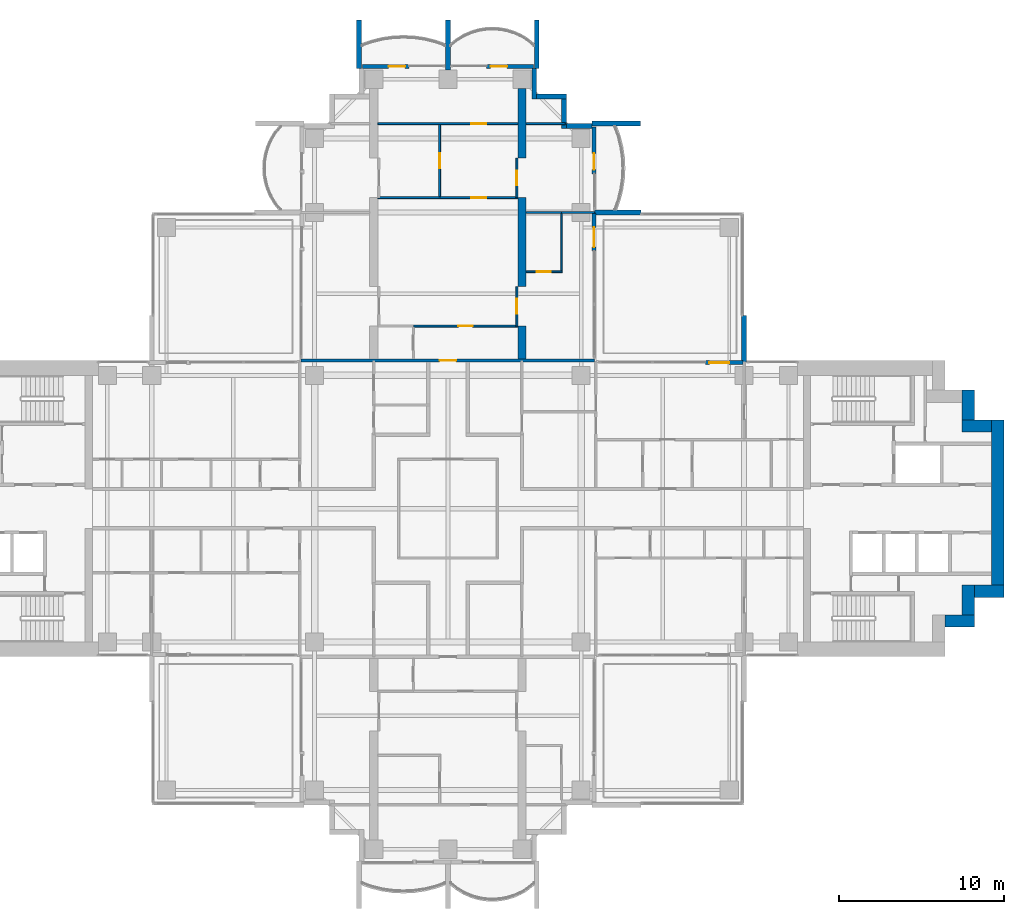
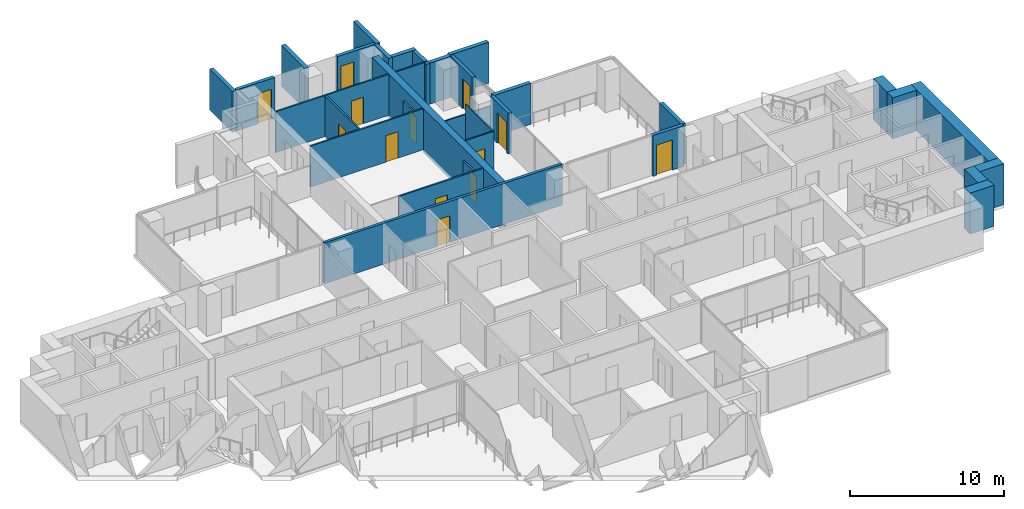
# One storey, part 14 of 18: 34 walls, 13 doors, 13 openings.
"""IFC4 building model written with IfcOpenShell, lengths in metres."""

from ifc_helpers import new_model, si_unit, direction, frame, frame_2d, origin, place, context, subcontext, project, spatial, polyline, rectangle, outline, extrude, material, layer, layer_set, material_profile, profile_set, type_object, element, fill, save


model = new_model("IFC4")

# Units and contexts
model_context = context("Model", 3, precision=1e-05, world=origin(), true_north=direction((0.0, 1.0)))
body_context = subcontext(model_context, "Body", "Model", "MODEL_VIEW")
ifc_project = project(units=[si_unit("LENGTHUNIT", "METRE"), si_unit("AREAUNIT", "SQUARE_METRE"), si_unit("VOLUMEUNIT", "CUBIC_METRE"), si_unit("PLANEANGLEUNIT", "RADIAN"), si_unit("MASSUNIT", "GRAM", prefix="KILO")], contexts=[model_context])

# Site, building, storey
site_placement = place(None, origin())
site = spatial("IfcSite", under=ifc_project, at=site_placement, CompositionType="ELEMENT")
building_placement = place(site_placement, origin())
building = spatial("IfcBuilding", under=site, at=building_placement, Name="Perihelion Cross Residences", CompositionType="ELEMENT")
storey_placement = place(building_placement, frame((0.0, 0.0, 130.39990234375)))
storey = spatial("IfcBuildingStorey", under=building, at=storey_placement, Name="L31", CompositionType="ELEMENT", Elevation=130.39990234375)

# Wall, opening, door
ifc_material_1 = material(Name="Plasterboard partition")
ifc_layer_1 = layer(ifc_material_1, 0.199951171875)
ifc_layer_set_1 = layer_set([ifc_layer_1], Name="Apartment separation wall 200")
wall_type_1 = type_object("IfcWallType", Name="Apartment separation wall 200", PredefinedType="PARTITIONING", material=ifc_layer_set_1)
wall_1_placement = place(storey_placement, frame((-8.919921875, 9.0, 0.0), z_axis=(0.0, 0.0, 1.0), x_axis=(1.0, 0.0, 0.0)))
wall_1 = element("IfcWall", 1, at=wall_1_placement, inside=storey, type_object=wall_type_1, Name="Partition L31 W021", PredefinedType="PARTITIONING", context=body_context, shape_type="SweptSolid", body=[
    extrude(rectangle(XDim=17.83984375, YDim=0.199951171875, at=frame_2d((8.919921875, 0.0))), origin(), (0.0, 0.0, 1.0), 3.25),
])
opening_1_placement = place(wall_1_placement, frame((8.419921875, 0.0, 0.0)))
opening_1 = element("IfcOpeningElement", 2, at=opening_1_placement, cuts=wall_1, Name="Opening L31.A32", PredefinedType="OPENING", context=body_context, shape_type="SweptSolid", body=[
    extrude(rectangle(XDim=1.0, YDim=2.10009765625, at=frame_2d((0.5, 1.050048828125))), frame((0.0, 0.10986328125, 0.0), z_axis=(0.0, -1.0, 0.0), x_axis=(1.0, 0.0, 0.0)), (0.0, 0.0, 1.0), 0.219970703125),
])
ifc_material_2 = material(Name="Timber door leaf", Category="wood")
door_type_1 = type_object("IfcDoorType", Name="Flat entrance door 1000 x 2100", OperationType="SINGLE_SWING_LEFT", PredefinedType="DOOR", material=ifc_material_2)
door_1_placement = place(opening_1_placement, origin())
door_1 = element("IfcDoor", 3, at=door_1_placement, inside=storey, type_object=door_type_1, Name="Door L31.A32", OperationType="SINGLE_SWING_RIGHT", OverallHeight=2.10009765625, OverallWidth=1.0, PredefinedType="DOOR", context=body_context, shape_type="SweptSolid", body=[
    extrude(rectangle(XDim=1.0, YDim=2.10009765625, at=frame_2d((0.5, 1.050048828125))), frame((0.0, 0.02490234375, 0.0), z_axis=(0.0, -1.0, 0.0), x_axis=(1.0, 0.0, 0.0)), (0.0, 0.0, 1.0), 0.050048828125),
])
fill(opening_1, door_1)

ifc_material_3 = material(Name="Concrete C30/37, bronze-clad", Category="concrete")
ifc_layer_2 = layer(ifc_material_3, 0.25)
ifc_layer_set_2 = layer_set([ifc_layer_2], Name="Bronze-clad pier wall 250")
wall_type_2 = type_object("IfcWallType", Name="Bronze-clad pier wall 250", PredefinedType="SOLIDWALL", material=ifc_layer_set_2)
wall_2_placement = place(storey_placement, frame((17.93994140625, 8.875, 0.0), z_axis=(0.0, 0.0, 1.0), x_axis=(-1.0, 0.0, 0.0)))
wall_2 = element("IfcWall", 4, at=wall_2_placement, inside=storey, type_object=wall_type_2, Name="Wall FW1 L31 east side north bay 2 pier", PredefinedType="SOLIDWALL", context=body_context, shape_type="SweptSolid", body=[
    extrude(rectangle(XDim=2.2900390625, YDim=0.25, at=frame_2d((1.14501953125, 0.0))), origin(), (0.0, 0.0, 1.0), 3.25),
])
opening_2_placement = place(wall_2_placement, frame((0.840087890625, 0.0, 0.0)))
opening_2 = element("IfcOpeningElement", 5, at=opening_2_placement, cuts=wall_2, Name="Opening L31.E01", PredefinedType="OPENING", context=body_context, shape_type="SweptSolid", body=[
    extrude(rectangle(XDim=1.199951171875, YDim=2.39990234375, at=frame_2d((0.60009765625, 1.199951171875))), frame((0.0, 0.135009765625, 0.0), z_axis=(0.0, -1.0, 0.0), x_axis=(1.0, 0.0, 0.0)), (0.0, 0.0, 1.0), 0.27001953125),
])
ifc_material_4 = material(Name="Bronze anodised aluminium, glazed", Category="aluminium")
door_type_2 = type_object("IfcDoorType", Name="Balcony door 1200 x 2400", OperationType="NOTDEFINED", PredefinedType="DOOR", material=ifc_material_4)
door_2_placement = place(opening_2_placement, origin())
door_2 = element("IfcDoor", 6, at=door_2_placement, inside=storey, type_object=door_type_2, Name="Door L31.E01 east side north bay 2", OperationType="SINGLE_SWING_RIGHT", OverallHeight=2.39990234375, OverallWidth=1.199951171875, PredefinedType="DOOR", context=body_context, shape_type="SweptSolid", body=[
    extrude(rectangle(XDim=1.199951171875, YDim=2.39990234375, at=frame_2d((0.60009765625, 1.199951171875))), frame((0.0, 0.02490234375, 0.0), z_axis=(0.0, -1.0, 0.0), x_axis=(1.0, 0.0, 0.0)), (0.0, 0.0, 1.0), 0.050048828125),
])
fill(opening_2, door_2)

wall_3_placement = place(storey_placement, frame((8.875, 15.64990234375, 0.0), z_axis=(0.0, 0.0, 1.0), x_axis=(0.0, 1.0, 0.0)))
wall_3 = element("IfcWall", 7, at=wall_3_placement, inside=storey, type_object=wall_type_2, Name="Wall FW1 L31 north side east bay 1 pier", PredefinedType="SOLIDWALL", context=body_context, shape_type="SweptSolid", body=[
    extrude(rectangle(XDim=2.2900390625, YDim=0.25, at=frame_2d((1.14501953125, 0.0))), origin(), (0.0, 0.0, 1.0), 3.25),
])
opening_3_placement = place(wall_3_placement, frame((0.25, 0.0, 0.0)))
opening_3 = element("IfcOpeningElement", 8, at=opening_3_placement, cuts=wall_3, Name="Opening L31.E02", PredefinedType="OPENING", context=body_context, shape_type="SweptSolid", body=[
    extrude(rectangle(XDim=1.199951171875, YDim=2.39990234375, at=frame_2d((0.60009765625, 1.199951171875))), frame((0.0, 0.135009765625, 0.0), z_axis=(0.0, -1.0, 0.0), x_axis=(1.0, 0.0, 0.0)), (0.0, 0.0, 1.0), 0.27001953125),
])
door_3_placement = place(opening_3_placement, origin())
door_3 = element("IfcDoor", 9, at=door_3_placement, inside=storey, type_object=door_type_2, Name="Door L31.E02 north side east bay 1", OperationType="SINGLE_SWING_LEFT", OverallHeight=2.39990234375, OverallWidth=1.199951171875, PredefinedType="DOOR", context=body_context, shape_type="SweptSolid", body=[
    extrude(rectangle(XDim=1.199951171875, YDim=2.39990234375, at=frame_2d((0.60009765625, 1.199951171875))), frame((0.0, 0.02490234375, 0.0), z_axis=(0.0, -1.0, 0.0), x_axis=(1.0, 0.0, 0.0)), (0.0, 0.0, 1.0), 0.050048828125),
])
fill(opening_3, door_3)

wall_4_placement = place(storey_placement, frame((8.875, 20.35009765625, 0.0), z_axis=(0.0, 0.0, 1.0), x_axis=(0.0, 1.0, 0.0)))
wall_4 = element("IfcWall", 10, at=wall_4_placement, inside=storey, type_object=wall_type_2, Name="Wall FW1 L31 north side east bay 2 pier", PredefinedType="SOLIDWALL", context=body_context, shape_type="SweptSolid", body=[
    extrude(rectangle(XDim=2.849853515625, YDim=0.25, at=frame_2d((1.4248046875, 0.0))), origin(), (0.0, 0.0, 1.0), 3.25),
])
opening_4_placement = place(wall_4_placement, frame((0.25, 0.0, 0.0)))
opening_4 = element("IfcOpeningElement", 11, at=opening_4_placement, cuts=wall_4, Name="Opening L31.E03", PredefinedType="OPENING", context=body_context, shape_type="SweptSolid", body=[
    extrude(rectangle(XDim=1.0, YDim=2.39990234375, at=frame_2d((0.5, 1.199951171875))), frame((0.0, 0.135009765625, 0.0), z_axis=(0.0, -1.0, 0.0), x_axis=(1.0, 0.0, 0.0)), (0.0, 0.0, 1.0), 0.27001953125),
])
ifc_material_5 = material(Name="Bronze anodised aluminium, glazed", Category="aluminium")
door_type_3 = type_object("IfcDoorType", Name="Balcony door 1000 x 2400", OperationType="NOTDEFINED", PredefinedType="DOOR", material=ifc_material_5)
door_4_placement = place(opening_4_placement, origin())
door_4 = element("IfcDoor", 12, at=door_4_placement, inside=storey, type_object=door_type_3, Name="Door L31.E03 north side east bay 2", OperationType="SINGLE_SWING_RIGHT", OverallHeight=2.39990234375, OverallWidth=1.0, PredefinedType="DOOR", context=body_context, shape_type="SweptSolid", body=[
    extrude(rectangle(XDim=1.0, YDim=2.39990234375, at=frame_2d((0.5, 1.199951171875))), frame((0.0, 0.02490234375, 0.0), z_axis=(0.0, -1.0, 0.0), x_axis=(1.0, 0.0, 0.0)), (0.0, 0.0, 1.0), 0.050048828125),
])
fill(opening_4, door_4)

wall_5_placement = place(storey_placement, frame((5.199951171875, 26.875, 0.0), z_axis=(0.0, 0.0, 1.0), x_axis=(-1.0, 0.0, 0.0)))
wall_5 = element("IfcWall", 13, at=wall_5_placement, inside=storey, type_object=wall_type_2, Name="Wall FW1 L31 north tip north bay 1 pier", PredefinedType="SOLIDWALL", context=body_context, shape_type="SweptSolid", body=[
    extrude(rectangle(XDim=2.849853515625, YDim=0.25, at=frame_2d((1.4248046875, 0.0))), origin(), (0.0, 0.0, 1.0), 3.25),
])
opening_5_placement = place(wall_5_placement, frame((1.60009765625, 0.0, 0.0)))
opening_5 = element("IfcOpeningElement", 14, at=opening_5_placement, cuts=wall_5, Name="Opening L31.E04", PredefinedType="OPENING", context=body_context, shape_type="SweptSolid", body=[
    extrude(rectangle(XDim=1.0, YDim=2.39990234375, at=frame_2d((0.5, 1.199951171875))), frame((0.0, 0.135009765625, 0.0), z_axis=(0.0, -1.0, 0.0), x_axis=(1.0, 0.0, 0.0)), (0.0, 0.0, 1.0), 0.27001953125),
])
door_5_placement = place(opening_5_placement, origin())
door_5 = element("IfcDoor", 15, at=door_5_placement, inside=storey, type_object=door_type_3, Name="Door L31.E04 north tip north bay 1", OperationType="SINGLE_SWING_LEFT", OverallHeight=2.39990234375, OverallWidth=1.0, PredefinedType="DOOR", context=body_context, shape_type="SweptSolid", body=[
    extrude(rectangle(XDim=1.0, YDim=2.39990234375, at=frame_2d((0.5, 1.199951171875))), frame((0.0, 0.02490234375, 0.0), z_axis=(0.0, -1.0, 0.0), x_axis=(1.0, 0.0, 0.0)), (0.0, 0.0, 1.0), 0.050048828125),
])
fill(opening_5, door_5)

wall_6_placement = place(storey_placement, frame((-2.35009765625, 26.875, 0.0), z_axis=(0.0, 0.0, 1.0), x_axis=(-1.0, 0.0, 0.0)))
wall_6 = element("IfcWall", 16, at=wall_6_placement, inside=storey, type_object=wall_type_2, Name="Wall FW1 L31 north tip north bay 2 pier", PredefinedType="SOLIDWALL", context=body_context, shape_type="SweptSolid", body=[
    extrude(rectangle(XDim=2.849853515625, YDim=0.25, at=frame_2d((1.4248046875, 0.0))), origin(), (0.0, 0.0, 1.0), 3.25),
])
opening_6_placement = place(wall_6_placement, frame((0.25, 0.0, 0.0)))
opening_6 = element("IfcOpeningElement", 17, at=opening_6_placement, cuts=wall_6, Name="Opening L31.E05", PredefinedType="OPENING", context=body_context, shape_type="SweptSolid", body=[
    extrude(rectangle(XDim=1.0, YDim=2.39990234375, at=frame_2d((0.5, 1.199951171875))), frame((0.0, 0.135009765625, 0.0), z_axis=(0.0, -1.0, 0.0), x_axis=(1.0, 0.0, 0.0)), (0.0, 0.0, 1.0), 0.27001953125),
])
door_6_placement = place(opening_6_placement, origin())
door_6 = element("IfcDoor", 18, at=door_6_placement, inside=storey, type_object=door_type_3, Name="Door L31.E05 north tip north bay 2", OperationType="SINGLE_SWING_RIGHT", OverallHeight=2.39990234375, OverallWidth=1.0, PredefinedType="DOOR", context=body_context, shape_type="SweptSolid", body=[
    extrude(rectangle(XDim=1.0, YDim=2.39990234375, at=frame_2d((0.5, 1.199951171875))), frame((0.0, 0.02490234375, 0.0), z_axis=(0.0, -1.0, 0.0), x_axis=(1.0, 0.0, 0.0)), (0.0, 0.0, 1.0), 0.050048828125),
])
fill(opening_6, door_6)

# Walls
ifc_material_6 = material(Name="Concrete C30/37, bronze-clad", Category="concrete")
ifc_layer_3 = layer(ifc_material_6, 0.300048828125)
ifc_layer_set_3 = layer_set([ifc_layer_3], Name="Bronze-clad serration wall 300")
wall_type_3 = type_object("IfcWallType", Name="Bronze-clad serration wall 300", PredefinedType="SOLIDWALL", material=ifc_layer_set_3)
wall_7_placement = place(storey_placement, frame((8.75, 23.25, 0.0), z_axis=(0.0, 0.0, 1.0), x_axis=(-1.0, 0.0, 0.0)))
element("IfcWall", 19, at=wall_7_placement, inside=storey, type_object=wall_type_3, Name="Wall SR1 L31 north corner north-east 1", PredefinedType="SOLIDWALL", context=body_context, shape_type="SweptSolid", body=[
    extrude(rectangle(XDim=1.550048828125, YDim=0.300048828125, at=frame_2d((0.77490234375, 0.0))), origin(), (0.0, 0.0, 1.0), 3.25),
])
wall_8_placement = place(storey_placement, frame((7.050048828125, 23.10009765625, 0.0), z_axis=(0.0, 0.0, 1.0), x_axis=(0.0, 1.0, 0.0)))
element("IfcWall", 20, at=wall_8_placement, inside=storey, type_object=wall_type_3, Name="Wall SR1 L31 north corner north-east 2", PredefinedType="SOLIDWALL", context=body_context, shape_type="SweptSolid", body=[
    extrude(rectangle(XDim=1.7998046875, YDim=0.300048828125, at=frame_2d((0.89990234375, 0.0))), origin(), (0.0, 0.0, 1.0), 3.25),
])
wall_9_placement = place(storey_placement, frame((7.199951171875, 25.050048828125, 0.0), z_axis=(0.0, 0.0, 1.0), x_axis=(-1.0, 0.0, 0.0)))
element("IfcWall", 21, at=wall_9_placement, inside=storey, type_object=wall_type_3, Name="Wall SR1 L31 north corner north-east 3", PredefinedType="SOLIDWALL", context=body_context, shape_type="SweptSolid", body=[
    extrude(rectangle(XDim=1.800048828125, YDim=0.300048828125, at=frame_2d((0.89990234375, 0.0))), origin(), (0.0, 0.0, 1.0), 3.25),
])
wall_10_placement = place(storey_placement, frame((5.25, 24.89990234375, 0.0), z_axis=(0.0, 0.0, 1.0), x_axis=(0.0, 1.0, 0.0)))
element("IfcWall", 22, at=wall_10_placement, inside=storey, type_object=wall_type_3, Name="Wall SR1 L31 north corner north-east 4", PredefinedType="SOLIDWALL", context=body_context, shape_type="SweptSolid", body=[
    extrude(rectangle(XDim=1.85009765625, YDim=0.300048828125, at=frame_2d((0.925048828125, 0.0))), origin(), (0.0, 0.0, 1.0), 3.25),
])
ifc_material_7 = material(Name="Concrete C60/75", Category="concrete")
ifc_layer_4 = layer(ifc_material_7, 0.75)
ifc_layer_set_4 = layer_set([ifc_layer_4], Name="Core wall, outer 750")
wall_type_4 = type_object("IfcWallType", Name="Core wall, outer 750", PredefinedType="SHEAR", material=ifc_layer_set_4)
for number, where, z_axis, x_axis, name in (
    (23, (30.199951171875, -6.824951171875, 0.0), (0.0, 0.0, 1.0), (1.0, 0.0, 0.0), "East core core wall, outer"),
    (24, (31.625, -6.449951171875, 0.0), (0.0, 0.0, 1.0), (0.0, 1.0, 0.0), "East core core wall, outer"),
    (25, (32.0, -5.02490234375, 0.0), (0.0, 0.0, 1.0), (1.0, 0.0, 0.0), "East core core wall, outer"),
):
    element("IfcWall", number, at=place(storey_placement, frame(where, z_axis=z_axis, x_axis=x_axis)), inside=storey, type_object=wall_type_4, Name=name, PredefinedType="SHEAR", context=body_context, shape_type="SweptSolid", body=[
        extrude(rectangle(XDim=1.800048828125, YDim=0.75, at=frame_2d((0.89990234375, 0.0))), origin(), (0.0, 0.0, 1.0), 3.25),
    ])
wall_11_placement = place(storey_placement, frame((33.425048828125, -4.64990234375, 0.0), z_axis=(0.0, 0.0, 1.0), x_axis=(0.0, 1.0, 0.0)))
element("IfcWall", 26, at=wall_11_placement, inside=storey, type_object=wall_type_4, Name="East core core wall, outer", PredefinedType="SHEAR", context=body_context, shape_type="SweptSolid", body=[
    extrude(rectangle(XDim=10.0498046875, YDim=0.75, at=frame_2d((5.02490234375, 0.0))), origin(), (0.0, 0.0, 1.0), 3.25),
])
for number, where, z_axis, x_axis, name in (
    (27, (31.25, 5.02490234375, 0.0), (0.0, 0.0, 1.0), (1.0, 0.0, 0.0), "East core core wall, outer"),
    (28, (31.625, 5.39990234375, 0.0), (0.0, 0.0, 1.0), (0.0, 1.0, 0.0), "East core core wall, outer"),
):
    element("IfcWall", number, at=place(storey_placement, frame(where, z_axis=z_axis, x_axis=x_axis)), inside=storey, type_object=wall_type_4, Name=name, PredefinedType="SHEAR", context=body_context, shape_type="SweptSolid", body=[
        extrude(rectangle(XDim=1.800048828125, YDim=0.75, at=frame_2d((0.89990234375, 0.0))), origin(), (0.0, 0.0, 1.0), 3.25),
    ])

# Wall, opening, door
ifc_material_8 = material(Name="Plasterboard partition")
ifc_layer_5 = layer(ifc_material_8, 0.1201171875)
ifc_layer_set_5 = layer_set([ifc_layer_5], Name="Infill panel 120")
wall_type_5 = type_object("IfcWallType", Name="Infill panel 120", PredefinedType="PARTITIONING", material=ifc_layer_set_5)
wall_12_placement = place(storey_placement, frame((4.18994140625, 11.10009765625, 0.0), z_axis=(0.0, 0.0, 1.0), x_axis=(0.0, 1.0, 0.0)))
wall_12 = element("IfcWall", 29, at=wall_12_placement, inside=storey, type_object=wall_type_5, Name="Partition L31 WI01", PredefinedType="PARTITIONING", context=body_context, shape_type="SweptSolid", body=[
    extrude(rectangle(XDim=2.39990234375, YDim=0.1201171875, at=frame_2d((1.199951171875, 0.0))), origin(), (0.0, 0.0, 1.0), 2.400146484375),
])
opening_7_placement = place(wall_12_placement, frame((0.75, 0.0, 0.0)))
opening_7 = element("IfcOpeningElement", 30, at=opening_7_placement, cuts=wall_12, Name="Opening L31.A49", PredefinedType="OPENING", context=body_context, shape_type="SweptSolid", body=[
    extrude(rectangle(XDim=0.89990234375, YDim=2.10009765625, at=frame_2d((0.449951171875, 1.050048828125))), frame((0.0, 0.070068359375, 0.0), z_axis=(0.0, -1.0, 0.0), x_axis=(1.0, 0.0, 0.0)), (0.0, 0.0, 1.0), 0.14013671875),
])
ifc_material_9 = material(Name="Timber door leaf", Category="wood")
door_type_4 = type_object("IfcDoorType", Name="Interior room door 900 x 2100", OperationType="SINGLE_SWING_LEFT", PredefinedType="DOOR", material=ifc_material_9)
door_7_placement = place(opening_7_placement, origin())
door_7 = element("IfcDoor", 31, at=door_7_placement, inside=storey, type_object=door_type_4, Name="Door L31.A49", OperationType="SINGLE_SWING_LEFT", OverallHeight=2.10009765625, OverallWidth=0.89990234375, PredefinedType="DOOR", context=body_context, shape_type="SweptSolid", body=[
    extrude(rectangle(XDim=0.89990234375, YDim=2.10009765625, at=frame_2d((0.449951171875, 1.050048828125))), frame((0.0, 0.02490234375, 0.0), z_axis=(0.0, -1.0, 0.0), x_axis=(1.0, 0.0, 0.0)), (0.0, 0.0, 1.0), 0.050048828125),
])
fill(opening_7, door_7)

wall_13_placement = place(storey_placement, frame((4.18994140625, 18.89990234375, 0.0), z_axis=(0.0, 0.0, 1.0), x_axis=(0.0, 1.0, 0.0)))
wall_13 = element("IfcWall", 32, at=wall_13_placement, inside=storey, type_object=wall_type_5, Name="Partition L31 WI02", PredefinedType="PARTITIONING", context=body_context, shape_type="SweptSolid", body=[
    extrude(rectangle(XDim=2.400146484375, YDim=0.1201171875, at=frame_2d((1.2001953125, 0.0))), origin(), (0.0, 0.0, 1.0), 2.400146484375),
])
opening_8_placement = place(wall_13_placement, frame((0.75, 0.0, 0.0)))
opening_8 = element("IfcOpeningElement", 33, at=opening_8_placement, cuts=wall_13, Name="Opening L31.A50", PredefinedType="OPENING", context=body_context, shape_type="SweptSolid", body=[
    extrude(rectangle(XDim=0.89990234375, YDim=2.10009765625, at=frame_2d((0.449951171875, 1.050048828125))), frame((0.0, 0.070068359375, 0.0), z_axis=(0.0, -1.0, 0.0), x_axis=(1.0, 0.0, 0.0)), (0.0, 0.0, 1.0), 0.14013671875),
])
door_8_placement = place(opening_8_placement, origin())
door_8 = element("IfcDoor", 34, at=door_8_placement, inside=storey, type_object=door_type_4, Name="Door L31.A50", OperationType="SINGLE_SWING_RIGHT", OverallHeight=2.10009765625, OverallWidth=0.89990234375, PredefinedType="DOOR", context=body_context, shape_type="SweptSolid", body=[
    extrude(rectangle(XDim=0.89990234375, YDim=2.10009765625, at=frame_2d((0.449951171875, 1.050048828125))), frame((0.0, 0.02490234375, 0.0), z_axis=(0.0, -1.0, 0.0), x_axis=(1.0, 0.0, 0.0)), (0.0, 0.0, 1.0), 0.050048828125),
])
fill(opening_8, door_8)

ifc_material_10 = material(Name="Plasterboard partition")
ifc_layer_6 = layer(ifc_material_10, 0.1201171875)
ifc_layer_set_6 = layer_set([ifc_layer_6], Name="Partition wall 120")
wall_type_6 = type_object("IfcWallType", Name="Partition wall 120", PredefinedType="PARTITIONING", material=ifc_layer_set_6)
wall_14_placement = place(storey_placement, frame((-2.10009765625, 11.10009765625, 0.0), z_axis=(0.0, 0.0, 1.0), x_axis=(1.0, 0.0, 0.0)))
wall_14 = element("IfcWall", 35, at=wall_14_placement, inside=storey, type_object=wall_type_6, Name="Partition L31 W062", PredefinedType="PARTITIONING", context=body_context, shape_type="SweptSolid", body=[
    extrude(rectangle(XDim=6.35009765625, YDim=0.1201171875, at=frame_2d((3.175048828125, 0.0))), origin(), (0.0, 0.0, 1.0), 3.25),
])
opening_9_placement = place(wall_14_placement, frame((2.72509765625, 0.0, 0.0)))
opening_9 = element("IfcOpeningElement", 36, at=opening_9_placement, cuts=wall_14, Name="Opening L31.A34", PredefinedType="OPENING", context=body_context, shape_type="SweptSolid", body=[
    extrude(rectangle(XDim=0.89990234375, YDim=2.10009765625, at=frame_2d((0.449951171875, 1.050048828125))), frame((0.0, 0.070068359375, 0.0), z_axis=(0.0, -1.0, 0.0), x_axis=(1.0, 0.0, 0.0)), (0.0, 0.0, 1.0), 0.14013671875),
])
door_9_placement = place(opening_9_placement, origin())
door_9 = element("IfcDoor", 37, at=door_9_placement, inside=storey, type_object=door_type_4, Name="Door L31.A34", OperationType="SINGLE_SWING_RIGHT", OverallHeight=2.10009765625, OverallWidth=0.89990234375, PredefinedType="DOOR", context=body_context, shape_type="SweptSolid", body=[
    extrude(rectangle(XDim=0.89990234375, YDim=2.10009765625, at=frame_2d((0.449951171875, 1.050048828125))), frame((0.0, 0.02490234375, 0.0), z_axis=(0.0, -1.0, 0.0), x_axis=(1.0, 0.0, 0.0)), (0.0, 0.0, 1.0), 0.050048828125),
])
fill(opening_9, door_9)

wall_15_placement = place(storey_placement, frame((-4.25, 18.89990234375, 0.0), z_axis=(0.0, 0.0, 1.0), x_axis=(1.0, 0.0, 0.0)))
wall_15 = element("IfcWall", 38, at=wall_15_placement, inside=storey, type_object=wall_type_6, Name="Partition L31 W064", PredefinedType="PARTITIONING", context=body_context, shape_type="SweptSolid", body=[
    extrude(rectangle(XDim=8.5, YDim=0.1201171875, at=frame_2d((4.25, 0.0))), origin(), (0.0, 0.0, 1.0), 3.25),
])
opening_10_placement = place(wall_15_placement, frame((5.675048828125, 0.0, 0.0)))
opening_10 = element("IfcOpeningElement", 39, at=opening_10_placement, cuts=wall_15, Name="Opening L31.A35", PredefinedType="OPENING", context=body_context, shape_type="SweptSolid", body=[
    extrude(rectangle(XDim=0.89990234375, YDim=2.10009765625, at=frame_2d((0.449951171875, 1.050048828125))), frame((0.0, 0.070068359375, 0.0), z_axis=(0.0, -1.0, 0.0), x_axis=(1.0, 0.0, 0.0)), (0.0, 0.0, 1.0), 0.14013671875),
])
door_10_placement = place(opening_10_placement, origin())
door_10 = element("IfcDoor", 40, at=door_10_placement, inside=storey, type_object=door_type_4, Name="Door L31.A35", OperationType="SINGLE_SWING_RIGHT", OverallHeight=2.10009765625, OverallWidth=0.89990234375, PredefinedType="DOOR", context=body_context, shape_type="SweptSolid", body=[
    extrude(rectangle(XDim=0.89990234375, YDim=2.10009765625, at=frame_2d((0.449951171875, 1.050048828125))), frame((0.0, 0.02490234375, 0.0), z_axis=(0.0, -1.0, 0.0), x_axis=(1.0, 0.0, 0.0)), (0.0, 0.0, 1.0), 0.050048828125),
])
fill(opening_10, door_10)

wall_16_placement = place(storey_placement, frame((-0.5, 18.9599609375, 0.0), z_axis=(0.0, 0.0, 1.0), x_axis=(0.0, 1.0, 0.0)))
wall_16 = element("IfcWall", 41, at=wall_16_placement, inside=storey, type_object=wall_type_6, Name="Partition L31 W065", PredefinedType="PARTITIONING", context=body_context, shape_type="SweptSolid", body=[
    extrude(rectangle(XDim=4.380126953125, YDim=0.1201171875, at=frame_2d((2.18994140625, 0.0))), origin(), (0.0, 0.0, 1.0), 3.25),
])
opening_11_placement = place(wall_16_placement, frame((1.739990234375, 0.0, 0.0)))
opening_11 = element("IfcOpeningElement", 42, at=opening_11_placement, cuts=wall_16, Name="Opening L31.A36", PredefinedType="OPENING", context=body_context, shape_type="SweptSolid", body=[
    extrude(rectangle(XDim=0.89990234375, YDim=2.10009765625, at=frame_2d((0.449951171875, 1.050048828125))), frame((0.0, 0.070068359375, 0.0), z_axis=(0.0, -1.0, 0.0), x_axis=(1.0, 0.0, 0.0)), (0.0, 0.0, 1.0), 0.14013671875),
])
door_11_placement = place(opening_11_placement, origin())
door_11 = element("IfcDoor", 43, at=door_11_placement, inside=storey, type_object=door_type_4, Name="Door L31.A36", OperationType="SINGLE_SWING_RIGHT", OverallHeight=2.10009765625, OverallWidth=0.89990234375, PredefinedType="DOOR", context=body_context, shape_type="SweptSolid", body=[
    extrude(rectangle(XDim=0.89990234375, YDim=2.10009765625, at=frame_2d((0.449951171875, 1.050048828125))), frame((0.0, 0.02490234375, 0.0), z_axis=(0.0, -1.0, 0.0), x_axis=(1.0, 0.0, 0.0)), (0.0, 0.0, 1.0), 0.050048828125),
])
fill(opening_11, door_11)

wall_17_placement = place(storey_placement, frame((-4.25, 23.39990234375, 0.0), z_axis=(0.0, 0.0, 1.0), x_axis=(1.0, 0.0, 0.0)))
wall_17 = element("IfcWall", 44, at=wall_17_placement, inside=storey, type_object=wall_type_6, Name="Partition L31 W066", PredefinedType="PARTITIONING", context=body_context, shape_type="SweptSolid", body=[
    extrude(rectangle(XDim=8.5, YDim=0.1201171875, at=frame_2d((4.25, 0.0))), origin(), (0.0, 0.0, 1.0), 3.25),
])
opening_12_placement = place(wall_17_placement, frame((5.675048828125, 0.0, 0.0)))
opening_12 = element("IfcOpeningElement", 45, at=opening_12_placement, cuts=wall_17, Name="Opening L31.A37", PredefinedType="OPENING", context=body_context, shape_type="SweptSolid", body=[
    extrude(rectangle(XDim=0.89990234375, YDim=2.10009765625, at=frame_2d((0.449951171875, 1.050048828125))), frame((0.0, 0.070068359375, 0.0), z_axis=(0.0, -1.0, 0.0), x_axis=(1.0, 0.0, 0.0)), (0.0, 0.0, 1.0), 0.14013671875),
])
door_12_placement = place(opening_12_placement, origin())
door_12 = element("IfcDoor", 46, at=door_12_placement, inside=storey, type_object=door_type_4, Name="Door L31.A37", OperationType="SINGLE_SWING_LEFT", OverallHeight=2.10009765625, OverallWidth=0.89990234375, PredefinedType="DOOR", context=body_context, shape_type="SweptSolid", body=[
    extrude(rectangle(XDim=0.89990234375, YDim=2.10009765625, at=frame_2d((0.449951171875, 1.050048828125))), frame((0.0, 0.02490234375, 0.0), z_axis=(0.0, -1.0, 0.0), x_axis=(1.0, 0.0, 0.0)), (0.0, 0.0, 1.0), 0.050048828125),
])
fill(opening_12, door_12)

# Walls
wall_18_placement = place(storey_placement, frame((6.89990234375, 18.0, 0.0), z_axis=(0.0, 0.0, 1.0), x_axis=(1.0, 0.0, 0.0)))
element("IfcWall", 47, at=wall_18_placement, inside=storey, type_object=wall_type_6, Name="Partition L31 W069", PredefinedType="PARTITIONING", context=body_context, shape_type="SweptSolid", body=[
    extrude(rectangle(XDim=2.02001953125, YDim=0.1201171875, at=frame_2d((1.010009765625, 0.0))), origin(), (0.0, 0.0, 1.0), 2.4140625),
])
wall_19_placement = place(storey_placement, frame((4.75, 23.39990234375, 0.0), z_axis=(0.0, 0.0, 1.0), x_axis=(1.0, 0.0, 0.0)))
element("IfcWall", 48, at=wall_19_placement, inside=storey, type_object=wall_type_6, Name="Partition L31 W071", PredefinedType="PARTITIONING", context=body_context, shape_type="SweptSolid", body=[
    extrude(rectangle(XDim=2.3701171875, YDim=0.1201171875, at=frame_2d((1.18505859375, 0.0))), origin(), (0.0, 0.0, 1.0), 3.25),
])
ifc_material_11 = material(Name="Precast concrete C50/60", Category="concrete")
ifc_layer_7 = layer(ifc_material_11, 0.300048828125)
ifc_layer_set_7 = layer_set([ifc_layer_7], Name="Precast concrete C50/60 blade wall 300")
wall_type_7 = type_object("IfcWallType", Name="Precast concrete C50/60 blade wall 300", PredefinedType="SOLIDWALL", material=ifc_layer_set_7)
wall_20_placement = place(storey_placement, frame((-5.39990234375, 26.75, 0.0), z_axis=(0.0, 0.0, 1.0), x_axis=(0.0, 1.0, 0.0)))
element("IfcWall", 49, at=wall_20_placement, inside=storey, type_object=wall_type_7, Name="Wall BL1 L31 no. 4", PredefinedType="SOLIDWALL", context=body_context, shape_type="SweptSolid", body=[
    extrude(rectangle(XDim=2.949951171875, YDim=0.300048828125, at=frame_2d((1.47509765625, 0.0))), origin(), (0.0, 0.0, 1.0), 3.25),
])
wall_21_placement = place(storey_placement, frame((0.0, 26.64990234375, 0.0), z_axis=(0.0, 0.0, 1.0), x_axis=(0.0, 1.0, 0.0)))
element("IfcWall", 50, at=wall_21_placement, inside=storey, type_object=wall_type_7, Name="Wall BL1 L31 no. 9", PredefinedType="SOLIDWALL", context=body_context, shape_type="SweptSolid", body=[
    extrude(rectangle(XDim=3.050048828125, YDim=0.300048828125, at=frame_2d((1.52490234375, 0.0))), origin(), (0.0, 0.0, 1.0), 3.25),
])
wall_22_placement = place(storey_placement, frame((5.39990234375, 26.75, 0.0), z_axis=(0.0, 0.0, 1.0), x_axis=(0.0, 1.0, 0.0)))
element("IfcWall", 51, at=wall_22_placement, inside=storey, type_object=wall_type_7, Name="Wall BL1 L31 no. 13", PredefinedType="SOLIDWALL", context=body_context, shape_type="SweptSolid", body=[
    extrude(rectangle(XDim=2.949951171875, YDim=0.300048828125, at=frame_2d((1.47509765625, 0.0))), origin(), (0.0, 0.0, 1.0), 3.25),
])
wall_23_placement = place(storey_placement, frame((8.919921875, 18.0, 0.0), z_axis=(0.0, 0.0, 1.0), x_axis=(1.0, 0.0, 0.0)))
element("IfcWall", 52, at=wall_23_placement, inside=storey, type_object=wall_type_7, Name="Wall BL1 L31 no. 15", PredefinedType="SOLIDWALL", context=body_context, shape_type="SweptSolid", body=[
    extrude(rectangle(XDim=2.820068359375, YDim=0.300048828125, at=frame_2d((1.41015625, 0.0))), origin(), (0.0, 0.0, 1.0), 3.25),
])
wall_24_placement = place(storey_placement, frame((8.75, 23.39990234375, 0.0), z_axis=(0.0, 0.0, 1.0), x_axis=(1.0, 0.0, 0.0)))
element("IfcWall", 53, at=wall_24_placement, inside=storey, type_object=wall_type_7, Name="Wall BL1 L31 no. 16", PredefinedType="SOLIDWALL", context=body_context, shape_type="SweptSolid", body=[
    extrude(rectangle(XDim=2.949951171875, YDim=0.300048828125, at=frame_2d((1.47509765625, 0.0))), origin(), (0.0, 0.0, 1.0), 3.25),
])
wall_25_placement = place(storey_placement, frame((18.0, 8.919921875, 0.0), z_axis=(0.0, 0.0, 1.0), x_axis=(0.0, 1.0, 0.0)))
element("IfcWall", 54, at=wall_25_placement, inside=storey, type_object=wall_type_7, Name="Wall BL1 L31 no. 11", PredefinedType="SOLIDWALL", context=body_context, shape_type="SweptSolid", body=[
    extrude(rectangle(XDim=2.820068359375, YDim=0.300048828125, at=frame_2d((1.41015625, 0.0))), origin(), (0.0, 0.0, 1.0), 3.25),
])
ifc_material_12 = material(Name="Concrete C60/75", Category="concrete")
ifc_material_profile = material_profile(ifc_material_12, outline(polyline([(0.0, 0.0), (2.10009765625, 0.0), (2.10009765625, 2.64990234375), (4.5, 2.64990234375), (4.5, 0.0), (9.89990234375, 0.0), (9.89990234375, 2.64990234375), (12.300048828125, 2.64990234375), (12.300048828125, 0.0), (16.550048828125, 0.0), (16.550048828125, 3.5), (0.0, 3.5), (0.0, 0.0)])), Name="Tip spine wall")
ifc_profile_set = profile_set([ifc_material_profile], Name="Concrete C60/75")
wall_type_8 = type_object("IfcWallType", Name="Tip spine wall 500 with 2 door openings 16550 long 3500 high concrete C60/75", PredefinedType="SHEAR", material=ifc_profile_set)
wall_26_placement = place(storey_placement, frame((4.25, 9.0, -0.25), z_axis=(1.0, 0.0, 0.0), x_axis=(0.0, 1.0, 0.0)))
element("IfcWall", 55, at=wall_26_placement, inside=storey, type_object=wall_type_8, Name="Shear wall SW34 L31 north east", PredefinedType="SHEAR", context=body_context, shape_type="SweptSolid", body=[
    extrude(outline(polyline([(0.0, 0.0), (2.10009765625, 0.0), (2.10009765625, 2.64990234375), (4.5, 2.64990234375), (4.5, 0.0), (9.89990234375, 0.0), (9.89990234375, 2.64990234375), (12.300048828125, 2.64990234375), (12.300048828125, 0.0), (16.550048828125, 0.0), (16.550048828125, 3.5), (0.0, 3.5), (0.0, 0.0)])), origin(), (0.0, 0.0, 1.0), 0.5),
])

# Wall, opening, door
ifc_material_13 = material(Name="Plasterboard partition")
ifc_layer_8 = layer(ifc_material_13, 0.10009765625)
ifc_layer_set_8 = layer_set([ifc_layer_8], Name="Wet room wall 100")
wall_type_9 = type_object("IfcWallType", Name="Wet room wall 100", PredefinedType="PARTITIONING", material=ifc_layer_set_8)
wall_27_placement = place(storey_placement, frame((4.75, 14.39990234375, 0.0), z_axis=(0.0, 0.0, 1.0), x_axis=(1.0, 0.0, 0.0)))
wall_27 = element("IfcWall", 56, at=wall_27_placement, inside=storey, type_object=wall_type_9, Name="Partition L31 W067", PredefinedType="PARTITIONING", context=body_context, shape_type="SweptSolid", body=[
    extrude(rectangle(XDim=2.199951171875, YDim=0.10009765625, at=frame_2d((1.10009765625, 0.0))), origin(), (0.0, 0.0, 1.0), 3.25),
])
opening_13_placement = place(wall_27_placement, frame((0.64990234375, 0.0, 0.0)))
opening_13 = element("IfcOpeningElement", 57, at=opening_13_placement, cuts=wall_27, Name="Opening L31.A38", PredefinedType="OPENING", context=body_context, shape_type="SweptSolid", body=[
    extrude(rectangle(XDim=0.85009765625, YDim=2.10009765625, at=frame_2d((0.425048828125, 1.050048828125))), frame((0.0, 0.06005859375, 0.0), z_axis=(0.0, -1.0, 0.0), x_axis=(1.0, 0.0, 0.0)), (0.0, 0.0, 1.0), 0.1201171875),
])
ifc_material_14 = material(Name="Timber door leaf", Category="wood")
door_type_5 = type_object("IfcDoorType", Name="Interior bathroom door 850 x 2100", OperationType="SINGLE_SWING_LEFT", PredefinedType="DOOR", material=ifc_material_14)
door_13_placement = place(opening_13_placement, origin())
door_13 = element("IfcDoor", 58, at=door_13_placement, inside=storey, type_object=door_type_5, Name="Door L31.A38", OperationType="SINGLE_SWING_RIGHT", OverallHeight=2.10009765625, OverallWidth=0.85009765625, PredefinedType="DOOR", context=body_context, shape_type="SweptSolid", body=[
    extrude(rectangle(XDim=0.85009765625, YDim=2.10009765625, at=frame_2d((0.425048828125, 1.050048828125))), frame((0.0, 0.02490234375, 0.0), z_axis=(0.0, -1.0, 0.0), x_axis=(1.0, 0.0, 0.0)), (0.0, 0.0, 1.0), 0.050048828125),
])
fill(opening_13, door_13)

# Walls
wall_28_placement = place(storey_placement, frame((6.89990234375, 14.449951171875, 0.0), z_axis=(0.0, 0.0, 1.0), x_axis=(0.0, 1.0, 0.0)))
element("IfcWall", 59, at=wall_28_placement, inside=storey, type_object=wall_type_9, Name="Partition L31 W068", PredefinedType="PARTITIONING", context=body_context, shape_type="SweptSolid", body=[
    extrude(rectangle(XDim=3.489990234375, YDim=0.10009765625, at=frame_2d((1.7451171875, 0.0))), origin(), (0.0, 0.0, 1.0), 3.25),
])
wall_29_placement = place(storey_placement, frame((4.75, 18.0, 0.0), z_axis=(0.0, 0.0, 1.0), x_axis=(1.0, 0.0, 0.0)))
element("IfcWall", 60, at=wall_29_placement, inside=storey, type_object=wall_type_9, Name="Partition L31 W070", PredefinedType="PARTITIONING", context=body_context, shape_type="SweptSolid", body=[
    extrude(rectangle(XDim=2.14990234375, YDim=0.10009765625, at=frame_2d((1.074951171875, 0.0))), origin(), (0.0, 0.0, 1.0), 2.4140625),
])

save(model, "model.ifc")
